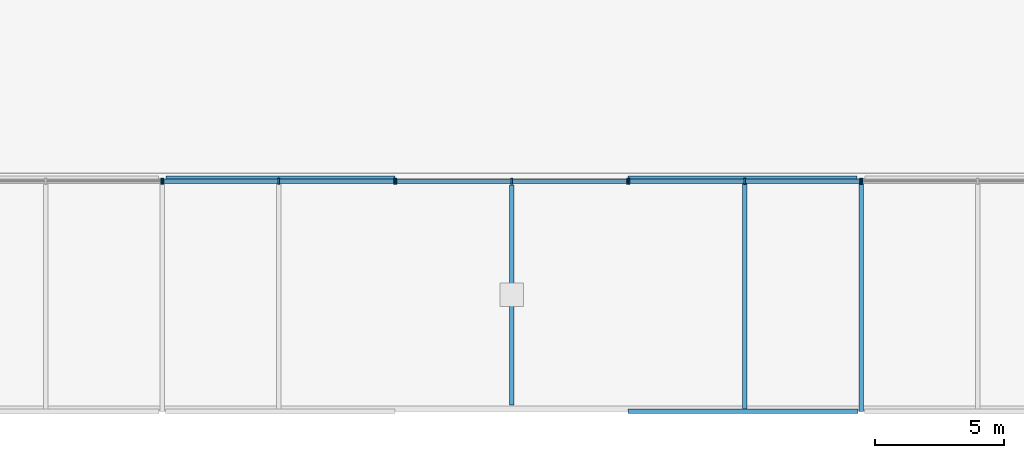
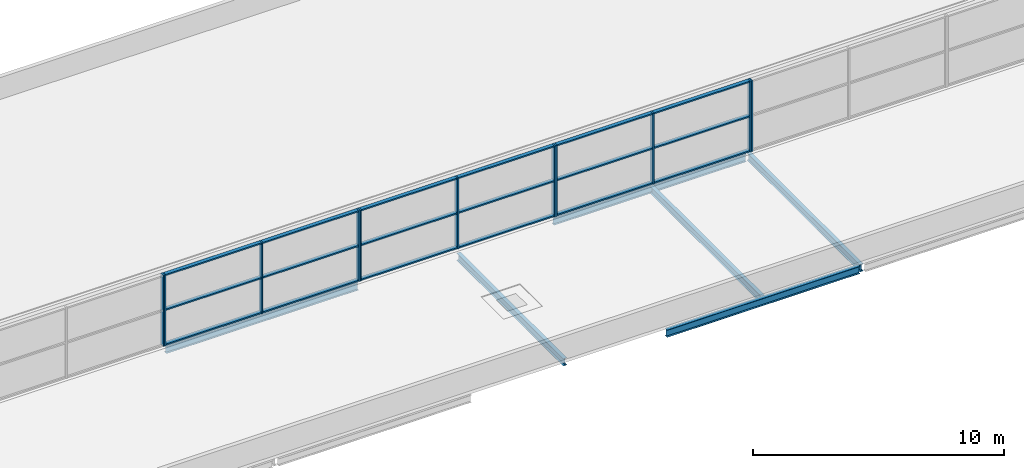
# One storey, part 7 of 50: 29 members, 6 beams, 5 elements without a shape of their own.
"""IFC4 building model written with IfcOpenShell, lengths in metres."""

import ifcopenshell
import ifcopenshell.guid

model = None  # the IFC model being written
_history = None  # IfcOwnerHistory: only IFC2X3 demands one
_inside = {}  # id of a spatial element -> (the spatial element, [elements in it])
_under = {}  # id of a project, library or spatial element -> (it, [spatial elements below it])
_declared = {}  # id of a project -> (the project, [libraries it declares])
_typed = {}  # id of a type object -> (the type object, [elements of that type])
_made_of = {}  # id of a material, layer set ... -> (it, [elements and type objects made of it])


def new_model(schema):
    """Start an empty IFC model of exactly this schema.

    Asked for "IFC4X3", IfcOpenShell would pick the latest addendum, in which some entities
    have other attributes; the version numbers below select the first issue.
    IFC2X3 requires an IfcOwnerHistory on every rooted entity: one is made here for all.
    """
    global model, _history
    if schema == "IFC4X3":
        model = ifcopenshell.file(schema_version=(4, 3, 0, 0))
    else:
        model = ifcopenshell.file(schema=schema)
    _inside.clear()
    _under.clear()
    _declared.clear()
    _typed.clear()
    _made_of.clear()
    _history = None
    if model.schema == "IFC2X3":
        org = make("IfcOrganization", Name="unknown")
        user = make(
            "IfcPersonAndOrganization",
            ThePerson=make("IfcPerson", FamilyName="unknown"),
            TheOrganization=org,
        )
        app = make(
            "IfcApplication",
            ApplicationDeveloper=org,
            Version="unknown",
            ApplicationFullName="unknown",
            ApplicationIdentifier="unknown",
        )
        _history = make(
            "IfcOwnerHistory",
            OwningUser=user,
            OwningApplication=app,
            ChangeAction="ADDED",
            CreationDate=0,
        )
    return model


def make(cls, **values):
    """One entity of the class cls with the attributes given. An attribute that is None is left unset."""
    return model.create_entity(
        cls, **{name: value for name, value in values.items() if value is not None}
    )


def rooted(cls, **values):
    """An entity with a GlobalId (a new one), such as an element, a storey or a relation."""
    return make(cls, GlobalId=ifcopenshell.guid.new(), OwnerHistory=_history, **values)


def si_unit(unit_type, name, prefix=None):
    """IfcSIUnit, for example si_unit("LENGTHUNIT", "METRE", prefix="MILLI")."""
    return make("IfcSIUnit", UnitType=unit_type, Prefix=prefix, Name=name)


def assignment(units):
    """IfcUnitAssignment: the units of a project."""
    return None if units is None else make("IfcUnitAssignment", Units=units)


def point(xyz):
    """IfcCartesianPoint."""
    return None if xyz is None else make("IfcCartesianPoint", Coordinates=xyz)


def direction(xyz):
    """IfcDirection."""
    return None if xyz is None else make("IfcDirection", DirectionRatios=xyz)


def frame(location, z_axis=None, x_axis=None):
    """IfcAxis2Placement3D, a coordinate frame: its origin and axes. An axis left out is left unset."""
    return make(
        "IfcAxis2Placement3D",
        Location=point(location),
        Axis=direction(z_axis),
        RefDirection=direction(x_axis),
    )


def frame_2d(location, x_axis=None):
    """IfcAxis2Placement2D, a coordinate frame in the plane: its origin and x axis."""
    return make(
        "IfcAxis2Placement2D", Location=point(location), RefDirection=direction(x_axis)
    )


def origin():
    """The frame at (0, 0, 0) with its axes left unset."""
    return frame((0.0, 0.0, 0.0))


def origin_2d():
    """The frame at (0, 0) in the plane with its x axis left unset."""
    return frame_2d((0.0, 0.0))


def place(relative_to, where):
    """IfcLocalPlacement: puts the frame where relative to a parent placement (None: the world)."""
    return make(
        "IfcLocalPlacement", PlacementRelTo=relative_to, RelativePlacement=where
    )


def context(
    kind, dimensions, precision=None, world=None, true_north=None, identifier=None
):
    """IfcGeometricRepresentationContext, for example the 3D "Model" context."""
    return make(
        "IfcGeometricRepresentationContext",
        ContextIdentifier=identifier,
        ContextType=kind,
        CoordinateSpaceDimension=dimensions,
        Precision=precision,
        WorldCoordinateSystem=world,
        TrueNorth=true_north,
    )


def subcontext(parent, identifier, kind, view, scale=None):
    """IfcGeometricRepresentationSubContext, for example "Body" below "Model"."""
    return make(
        "IfcGeometricRepresentationSubContext",
        ContextIdentifier=identifier,
        ContextType=kind,
        ParentContext=parent,
        TargetScale=scale,
        TargetView=view,
    )


def project(units=None, contexts=None):
    """IfcProject with its units and contexts."""
    return rooted(
        "IfcProject",
        Name="project",
        RepresentationContexts=contexts,
        UnitsInContext=assignment(units),
    )


def spatial(cls, under=None, at=None, **own):
    """A site, building, storey or space (cls), placed at a placement, below another one or the project."""
    s = rooted(cls, ObjectPlacement=at, **own)
    if under is not None:
        _under.setdefault(under.id(), (under, []))[1].append(s)
    return s


def profile(cls, at=None, kind="AREA", **sizes):
    """A parametric profile (cls). Its sizes go by their IFC names, for example OverallWidth=200.0."""
    return make(cls, ProfileType=kind, Position=at, **sizes)


def rectangle(**sizes):
    """IfcRectangleProfileDef."""
    return profile("IfcRectangleProfileDef", **sizes)


def i_section(**sizes):
    """IfcIShapeProfileDef."""
    return profile("IfcIShapeProfileDef", **sizes)


def extrude(swept, where, along, depth):
    """IfcExtrudedAreaSolid: the profile swept, set in the frame where, extruded along a direction by depth."""
    return make(
        "IfcExtrudedAreaSolid",
        SweptArea=swept,
        Position=where,
        ExtrudedDirection=direction(along),
        Depth=depth,
    )


def shape(context_of_items, identifier, shape_type, items):
    """IfcShapeRepresentation: the items that make up one representation, for example the "Body"."""
    return make(
        "IfcShapeRepresentation",
        ContextOfItems=context_of_items,
        RepresentationIdentifier=identifier,
        RepresentationType=shape_type,
        Items=items,
    )


def material(Name=None, Category=None):
    """IfcMaterial."""
    return make("IfcMaterial", Name=Name, Category=Category)


def layer(
    of_material, thickness, ventilated=None, Name=None, Category=None, Priority=None
):
    """IfcMaterialLayer: one layer of a wall or slab, of a material (None: an air gap)."""
    return make(
        "IfcMaterialLayer",
        Material=of_material,
        LayerThickness=thickness,
        IsVentilated=ventilated,
        Name=Name,
        Category=Category,
        Priority=Priority,
    )


def layer_set(layers, Name=None):
    """IfcMaterialLayerSet."""
    return make("IfcMaterialLayerSet", MaterialLayers=layers, LayerSetName=Name)


def material_profile(
    of_material, cross_section, Name=None, Category=None, Priority=None
):
    """IfcMaterialProfile: a cross section and its material."""
    return make(
        "IfcMaterialProfile",
        Name=Name,
        Material=of_material,
        Profile=cross_section,
        Priority=Priority,
        Category=Category,
    )


def profile_set(profiles, Name=None, composite=None):
    """IfcMaterialProfileSet."""
    return make(
        "IfcMaterialProfileSet",
        Name=Name,
        MaterialProfiles=profiles,
        CompositeProfile=composite,
    )


def made_of(thing, what):
    """Note that an element or type object is made of a material, layer set ...; save() writes the relation."""
    if what is not None:
        _made_of.setdefault(what.id(), (what, []))[1].append(thing)
    return thing


def type_object(cls, material=None, **own):
    """A type object (cls), such as IfcWallType, which elements share."""
    return made_of(rooted(cls, **own), material)


def element(
    cls,
    number,
    at=None,
    inside=None,
    cuts=None,
    type_object=None,
    material=None,
    context=None,
    identifier="Body",
    shape_type=None,
    held_by="IfcProductDefinitionShape",
    body=None,
    shapes=None,
    **own,
):
    """One element of the class cls, such as IfcWall. Its Tag is "e" and its number.

    at: its placement. inside: the storey or other place that contains it. cuts: it is an
    opening in that element (IfcRelVoidsElement). A single representation is given by context,
    identifier, shape_type and body (its items); several are given by shapes. held_by: the class
    of the entity that holds the representations. save() writes the other relations.
    """
    e = rooted(cls, Tag="e%d" % number, ObjectPlacement=at, **own)
    if body is not None:
        shapes = [shape(context, identifier, shape_type, body)]
    if shapes is not None:
        e.Representation = make(held_by, Representations=shapes)
    if inside is not None:
        _inside.setdefault(inside.id(), (inside, []))[1].append(e)
    if cuts is not None:
        rooted(
            "IfcRelVoidsElement", RelatingBuildingElement=cuts, RelatedOpeningElement=e
        )
    if type_object is not None:
        _typed.setdefault(type_object.id(), (type_object, []))[1].append(e)
    return made_of(e, material)


def aggregate(whole, parts):
    """IfcRelAggregates: a whole, such as a stair, and the parts it consists of."""
    return rooted("IfcRelAggregates", RelatingObject=whole, RelatedObjects=parts)


def save(model, path):
    """Write the relations noted so far, then the file.

    IfcRelAggregates (storeys below a building ...), IfcRelContainedInSpatialStructure (elements
    in a storey), IfcRelDefinesByType, IfcRelAssociatesMaterial and IfcRelDeclares: one each for
    every whole, place, type object, material and project.
    """
    for whole, parts in _under.values():
        aggregate(whole, parts)
    for where, things in _inside.values():
        rooted(
            "IfcRelContainedInSpatialStructure",
            RelatedElements=things,
            RelatingStructure=where,
        )
    for kind, things in _typed.values():
        rooted("IfcRelDefinesByType", RelatedObjects=things, RelatingType=kind)
    for what, things in _made_of.values():
        rooted("IfcRelAssociatesMaterial", RelatedObjects=things, RelatingMaterial=what)
    for by, libraries in _declared.values():
        rooted("IfcRelDeclares", RelatingContext=by, RelatedDefinitions=libraries)
    model.write(path)


model = new_model("IFC4")

# Units and contexts
model_context = context("Model", 3, precision=1e-05, world=origin(), true_north=direction((0.0, 1.0)))
body_context = subcontext(model_context, "Body", "Model", "MODEL_VIEW")
ifc_project = project(units=[si_unit("LENGTHUNIT", "METRE"), si_unit("AREAUNIT", "SQUARE_METRE"), si_unit("VOLUMEUNIT", "CUBIC_METRE"), si_unit("PLANEANGLEUNIT", "RADIAN"), si_unit("MASSUNIT", "GRAM", prefix="KILO")], contexts=[model_context])

# Site, building, storey
site_placement = place(None, origin())
site = spatial("IfcSite", under=ifc_project, at=site_placement, CompositionType="ELEMENT")
building_placement = place(site_placement, origin())
building = spatial("IfcBuilding", under=site, at=building_placement, Name="Corbel Yard City Hall", CompositionType="ELEMENT")
storey_placement = place(building_placement, frame((0.0, 0.0, 15.0)))
storey = spatial("IfcBuildingStorey", under=building, at=storey_placement, Name="L03", CompositionType="ELEMENT", Elevation=15.0)

# Beams
ifc_material_1 = material(Name="Steel Grade 300 (300 MPa yield)", Category="steel")
ifc_material_profile_1 = material_profile(ifc_material_1, i_section(OverallWidth=0.1708984375, OverallDepth=0.35205078125, WebThickness=0.0068359375, FlangeThickness=0.009765625, at=origin_2d()), Name="360UB44.7")
ifc_profile_set_1 = profile_set([ifc_material_profile_1], Name="Steel Grade 300 (300 MPa yield)")
beam_type_1 = type_object("IfcBeamType", Name="Beam 360UB44.7", PredefinedType="BEAM", material=ifc_profile_set_1)
beam_1_placement = place(storey_placement, frame((63.0, 0.00439453125, -0.325927734375), z_axis=(0.0, 1.0, 0.0), x_axis=(-1.0, 0.0, 0.0)))
element("IfcBeam", 1, at=beam_1_placement, inside=storey, type_object=beam_type_1, Name="Beam 360UB44.7 SB13 L03roof", PredefinedType="BEAM", context=body_context, shape_type="SweptSolid", body=[
    extrude(i_section(OverallWidth=0.1708984375, OverallDepth=0.35205078125, WebThickness=0.0068359375, FlangeThickness=0.009765625, at=origin_2d()), origin(), (0.0, 0.0, 1.0), 8.99072265625),
])
ifc_material_profile_2 = material_profile(ifc_material_1, i_section(OverallWidth=0.172119140625, OverallDepth=0.35888671875, WebThickness=0.008056640625, FlangeThickness=0.012939453125, at=origin_2d()), Name="360UB56.7")
ifc_profile_set_2 = profile_set([ifc_material_profile_2], Name="Steel Grade 300 (300 MPa yield)")
beam_type_2 = type_object("IfcBeamType", Name="Edge beam 360UB56.7", PredefinedType="BEAM", material=ifc_profile_set_2)
beam_2_placement = place(storey_placement, frame((54.0, 0.0, -0.32958984375), z_axis=(1.0, 0.0, 0.0), x_axis=(0.0, 1.0, 0.0)))
element("IfcBeam", 2, at=beam_2_placement, inside=storey, type_object=beam_type_2, Name="Edge beam 360UB56.7 EB4 L03roof", PredefinedType="BEAM", context=body_context, shape_type="SweptSolid", body=[
    extrude(i_section(OverallWidth=0.172119140625, OverallDepth=0.35888671875, WebThickness=0.008056640625, FlangeThickness=0.012939453125, at=origin_2d()), origin(), (0.0, 0.0, 1.0), 8.873046875),
])
for number, where, z_axis, x_axis, name in (
    (3, (36.154052734375, 9.0, -0.32958984375), (1.0, 0.0, 0.0), (0.0, 1.0, 0.0), "Edge beam 360UB56.7 EB4 L03roof"),
    (4, (54.0, 9.0, -0.32958984375), (1.0, 0.0, 0.0), (0.0, 1.0, 0.0), "Edge beam 360UB56.7 EB4 L03roof"),
):
    element("IfcBeam", number, at=place(storey_placement, frame(where, z_axis=z_axis, x_axis=x_axis)), inside=storey, type_object=beam_type_2, Name=name, PredefinedType="BEAM", context=body_context, shape_type="SweptSolid", body=[
        extrude(i_section(OverallWidth=0.172119140625, OverallDepth=0.35888671875, WebThickness=0.008056640625, FlangeThickness=0.012939453125, at=origin_2d()), origin(), (0.0, 0.0, 1.0), 8.845947265625),
    ])

# Curtain wall, member
ifc_material_2 = material(Name="Aluminium extrusion", Category="aluminium")
ifc_layer = layer(ifc_material_2, 0.219970703125)
ifc_layer_set = layer_set([ifc_layer], Name="Aluminium extrusion")
curtain_wall_type = type_object("IfcCurtainWallType", Name="CW5", PredefinedType="USERDEFINED", material=ifc_layer_set)
curtain_wall_1_placement = place(storey_placement, origin())
curtain_wall_1 = element("IfcCurtainWall", 5, at=curtain_wall_1_placement, inside=storey, type_object=curtain_wall_type, Name="Hall south clerestory curtain wall", ObjectType="CURTAIN WALL", PredefinedType="USERDEFINED")
ifc_material_profile_3 = material_profile(ifc_material_2, rectangle(XDim=0.219970703125, YDim=0.06494140625, at=origin_2d()), Name="220x65")
ifc_profile_set_3 = profile_set([ifc_material_profile_3], Name="Aluminium extrusion")
member_type_1 = type_object("IfcMemberType", Name="ML5", PredefinedType="MULLION", material=ifc_profile_set_3)
member_1_placement = place(storey_placement, frame((35.967529296875, 8.889892578125, 0.0), z_axis=(0.0, 0.0, 1.0), x_axis=(0.0, 1.0, 0.0)))
member_1 = element("IfcMember", 6, at=member_1_placement, type_object=member_type_1, Name="CW5 mullion 3", PredefinedType="MULLION", context=body_context, shape_type="SweptSolid", body=[
    extrude(rectangle(XDim=0.219970703125, YDim=0.06494140625, at=origin_2d()), origin(), (0.0, 0.0, 1.0), 3.449951171875),
])
aggregate(curtain_wall_1, [member_1])

# Curtain wall, members
curtain_wall_2_placement = place(storey_placement, origin())
curtain_wall_2 = element("IfcCurtainWall", 7, at=curtain_wall_2_placement, inside=storey, type_object=curtain_wall_type, Name="Hall south clerestory curtain wall", ObjectType="CURTAIN WALL", PredefinedType="USERDEFINED")
member_2_placement = place(storey_placement, frame((36.032470703125, 8.889892578125, 0.0), z_axis=(0.0, 0.0, 1.0), x_axis=(0.0, 1.0, 0.0)))
member_2 = element("IfcMember", 8, at=member_2_placement, type_object=member_type_1, Name="CW5 mullion 1", PredefinedType="MULLION", context=body_context, shape_type="SweptSolid", body=[
    extrude(rectangle(XDim=0.219970703125, YDim=0.06494140625, at=origin_2d()), origin(), (0.0, 0.0, 1.0), 3.449951171875),
])
member_3_placement = place(storey_placement, frame((40.5, 8.889892578125, 0.0), z_axis=(0.0, 0.0, 1.0), x_axis=(0.0, 1.0, 0.0)))
member_3 = element("IfcMember", 9, at=member_3_placement, type_object=member_type_1, Name="CW5 mullion 2", PredefinedType="MULLION", context=body_context, shape_type="SweptSolid", body=[
    extrude(rectangle(XDim=0.219970703125, YDim=0.06494140625, at=origin_2d()), origin(), (0.0, 0.0, 1.0), 3.449951171875),
])
member_4_placement = place(storey_placement, frame((44.967529296875, 8.889892578125, 0.0), z_axis=(0.0, 0.0, 1.0), x_axis=(0.0, 1.0, 0.0)))
member_4 = element("IfcMember", 10, at=member_4_placement, type_object=member_type_1, Name="CW5 mullion 3", PredefinedType="MULLION", context=body_context, shape_type="SweptSolid", body=[
    extrude(rectangle(XDim=0.219970703125, YDim=0.06494140625, at=origin_2d()), origin(), (0.0, 0.0, 1.0), 3.449951171875),
])

curtain_wall_3_placement = place(storey_placement, origin())
curtain_wall_3 = element("IfcCurtainWall", 11, at=curtain_wall_3_placement, inside=storey, type_object=curtain_wall_type, Name="Hall south clerestory curtain wall", ObjectType="CURTAIN WALL", PredefinedType="USERDEFINED")
member_5_placement = place(storey_placement, frame((45.032470703125, 8.889892578125, 0.0), z_axis=(0.0, 0.0, 1.0), x_axis=(0.0, 1.0, 0.0)))
member_5 = element("IfcMember", 12, at=member_5_placement, type_object=member_type_1, Name="CW5 mullion 1", PredefinedType="MULLION", context=body_context, shape_type="SweptSolid", body=[
    extrude(rectangle(XDim=0.219970703125, YDim=0.06494140625, at=origin_2d()), origin(), (0.0, 0.0, 1.0), 3.449951171875),
])
member_6_placement = place(storey_placement, frame((49.5, 8.889892578125, 0.0), z_axis=(0.0, 0.0, 1.0), x_axis=(0.0, 1.0, 0.0)))
member_6 = element("IfcMember", 13, at=member_6_placement, type_object=member_type_1, Name="CW5 mullion 2", PredefinedType="MULLION", context=body_context, shape_type="SweptSolid", body=[
    extrude(rectangle(XDim=0.219970703125, YDim=0.06494140625, at=origin_2d()), origin(), (0.0, 0.0, 1.0), 3.449951171875),
])
member_7_placement = place(storey_placement, frame((53.967529296875, 8.889892578125, 0.0), z_axis=(0.0, 0.0, 1.0), x_axis=(0.0, 1.0, 0.0)))
member_7 = element("IfcMember", 14, at=member_7_placement, type_object=member_type_1, Name="CW5 mullion 3", PredefinedType="MULLION", context=body_context, shape_type="SweptSolid", body=[
    extrude(rectangle(XDim=0.219970703125, YDim=0.06494140625, at=origin_2d()), origin(), (0.0, 0.0, 1.0), 3.449951171875),
])

curtain_wall_4_placement = place(storey_placement, origin())
curtain_wall_4 = element("IfcCurtainWall", 15, at=curtain_wall_4_placement, inside=storey, type_object=curtain_wall_type, Name="Hall south clerestory curtain wall", ObjectType="CURTAIN WALL", PredefinedType="USERDEFINED")
member_8_placement = place(storey_placement, frame((54.032470703125, 8.889892578125, 0.0), z_axis=(0.0, 0.0, 1.0), x_axis=(0.0, 1.0, 0.0)))
member_8 = element("IfcMember", 16, at=member_8_placement, type_object=member_type_1, Name="CW5 mullion 1", PredefinedType="MULLION", context=body_context, shape_type="SweptSolid", body=[
    extrude(rectangle(XDim=0.219970703125, YDim=0.06494140625, at=origin_2d()), origin(), (0.0, 0.0, 1.0), 3.449951171875),
])
member_9_placement = place(storey_placement, frame((58.5, 8.889892578125, 0.0), z_axis=(0.0, 0.0, 1.0), x_axis=(0.0, 1.0, 0.0)))
member_9 = element("IfcMember", 17, at=member_9_placement, type_object=member_type_1, Name="CW5 mullion 2", PredefinedType="MULLION", context=body_context, shape_type="SweptSolid", body=[
    extrude(rectangle(XDim=0.219970703125, YDim=0.06494140625, at=origin_2d()), origin(), (0.0, 0.0, 1.0), 3.449951171875),
])
member_10_placement = place(storey_placement, frame((62.967529296875, 8.889892578125, 0.0), z_axis=(0.0, 0.0, 1.0), x_axis=(0.0, 1.0, 0.0)))
member_10 = element("IfcMember", 18, at=member_10_placement, type_object=member_type_1, Name="CW5 mullion 3", PredefinedType="MULLION", context=body_context, shape_type="SweptSolid", body=[
    extrude(rectangle(XDim=0.219970703125, YDim=0.06494140625, at=origin_2d()), origin(), (0.0, 0.0, 1.0), 3.449951171875),
])

# Curtain wall, member
curtain_wall_5_placement = place(storey_placement, origin())
curtain_wall_5 = element("IfcCurtainWall", 19, at=curtain_wall_5_placement, inside=storey, type_object=curtain_wall_type, Name="Hall south clerestory curtain wall", ObjectType="CURTAIN WALL", PredefinedType="USERDEFINED")
member_11_placement = place(storey_placement, frame((63.032470703125, 8.889892578125, 0.0), z_axis=(0.0, 0.0, 1.0), x_axis=(0.0, 1.0, 0.0)))
member_11 = element("IfcMember", 20, at=member_11_placement, type_object=member_type_1, Name="CW5 mullion 1", PredefinedType="MULLION", context=body_context, shape_type="SweptSolid", body=[
    extrude(rectangle(XDim=0.219970703125, YDim=0.06494140625, at=origin_2d()), origin(), (0.0, 0.0, 1.0), 3.449951171875),
])
aggregate(curtain_wall_5, [member_11])

# Beams
ifc_material_profile_4 = material_profile(ifc_material_1, i_section(OverallWidth=0.1708984375, OverallDepth=0.35205078125, WebThickness=0.0068359375, FlangeThickness=0.009765625, at=origin_2d()), Name="360UB44.7")
ifc_profile_set_4 = profile_set([ifc_material_profile_4], Name="Steel Grade 300 (300 MPa yield)")
beam_type_3 = type_object("IfcBeamType", Name="Secondary beam 360UB44.7", PredefinedType="JOIST", material=ifc_profile_set_4)
beam_3_placement = place(storey_placement, frame((58.5, 0.0859375, -0.325927734375), z_axis=(0.0, 1.0, 0.0), x_axis=(-1.0, 0.0, 0.0)))
element("IfcBeam", 21, at=beam_3_placement, inside=storey, type_object=beam_type_3, Name="Secondary beam 360UB44.7 SB11 L03roof", PredefinedType="JOIST", context=body_context, shape_type="SweptSolid", body=[
    extrude(i_section(OverallWidth=0.1708984375, OverallDepth=0.35205078125, WebThickness=0.0068359375, FlangeThickness=0.009765625, at=origin_2d()), origin(), (0.0, 0.0, 1.0), 8.828125),
])
beam_4_placement = place(storey_placement, frame((49.5, 0.25, -0.325927734375), z_axis=(0.0, 1.0, 0.0), x_axis=(-1.0, 0.0, 0.0)))
element("IfcBeam", 22, at=beam_4_placement, inside=storey, type_object=beam_type_3, Name="Core roof beam 360UB44.7 SB11 PC-S1", PredefinedType="JOIST", context=body_context, shape_type="SweptSolid", body=[
    extrude(i_section(OverallWidth=0.1708984375, OverallDepth=0.35205078125, WebThickness=0.0068359375, FlangeThickness=0.009765625, at=origin_2d()), origin(), (0.0, 0.0, 1.0), 8.5),
])

# Member
ifc_material_profile_5 = material_profile(ifc_material_2, rectangle(XDim=0.179931640625, YDim=0.06494140625, at=origin_2d()), Name="180x65")
ifc_profile_set_5 = profile_set([ifc_material_profile_5], Name="Aluminium extrusion")
member_type_2 = type_object("IfcMemberType", Name="TR5", PredefinedType="USERDEFINED", material=ifc_profile_set_5)
member_12_placement = place(storey_placement, frame((36.06494140625, 8.889892578125, 0.032470703125), z_axis=(1.0, 0.0, 0.0), x_axis=(0.0, 1.0, 0.0)))
member_12 = element("IfcMember", 23, at=member_12_placement, type_object=member_type_2, Name="CW5 transom 1.1", ObjectType="TRANSOM", PredefinedType="USERDEFINED", context=body_context, shape_type="SweptSolid", body=[
    extrude(rectangle(XDim=0.179931640625, YDim=0.06494140625, at=origin_2d()), origin(), (0.0, 0.0, 1.0), 4.402587890625),
])

member_13_placement = place(storey_placement, frame((36.06494140625, 8.889892578125, 1.72509765625), z_axis=(1.0, 0.0, 0.0), x_axis=(0.0, 1.0, 0.0)))
member_13 = element("IfcMember", 24, at=member_13_placement, type_object=member_type_2, Name="CW5 transom 1.2", ObjectType="TRANSOM", PredefinedType="USERDEFINED", context=body_context, shape_type="SweptSolid", body=[
    extrude(rectangle(XDim=0.179931640625, YDim=0.06494140625, at=origin_2d()), origin(), (0.0, 0.0, 1.0), 4.402587890625),
])

member_14_placement = place(storey_placement, frame((36.06494140625, 8.889892578125, 3.41748046875), z_axis=(1.0, 0.0, 0.0), x_axis=(0.0, 1.0, 0.0)))
member_14 = element("IfcMember", 25, at=member_14_placement, type_object=member_type_2, Name="CW5 transom 1.3", ObjectType="TRANSOM", PredefinedType="USERDEFINED", context=body_context, shape_type="SweptSolid", body=[
    extrude(rectangle(XDim=0.179931640625, YDim=0.06494140625, at=origin_2d()), origin(), (0.0, 0.0, 1.0), 4.402587890625),
])

member_15_placement = place(storey_placement, frame((40.532470703125, 8.889892578125, 0.032470703125), z_axis=(1.0, 0.0, 0.0), x_axis=(0.0, 1.0, 0.0)))
member_15 = element("IfcMember", 26, at=member_15_placement, type_object=member_type_2, Name="CW5 transom 2.1", ObjectType="TRANSOM", PredefinedType="USERDEFINED", context=body_context, shape_type="SweptSolid", body=[
    extrude(rectangle(XDim=0.179931640625, YDim=0.06494140625, at=origin_2d()), origin(), (0.0, 0.0, 1.0), 4.402587890625),
])

member_16_placement = place(storey_placement, frame((40.532470703125, 8.889892578125, 1.72509765625), z_axis=(1.0, 0.0, 0.0), x_axis=(0.0, 1.0, 0.0)))
member_16 = element("IfcMember", 27, at=member_16_placement, type_object=member_type_2, Name="CW5 transom 2.2", ObjectType="TRANSOM", PredefinedType="USERDEFINED", context=body_context, shape_type="SweptSolid", body=[
    extrude(rectangle(XDim=0.179931640625, YDim=0.06494140625, at=origin_2d()), origin(), (0.0, 0.0, 1.0), 4.402587890625),
])

member_17_placement = place(storey_placement, frame((40.532470703125, 8.889892578125, 3.41748046875), z_axis=(1.0, 0.0, 0.0), x_axis=(0.0, 1.0, 0.0)))
member_17 = element("IfcMember", 28, at=member_17_placement, type_object=member_type_2, Name="CW5 transom 2.3", ObjectType="TRANSOM", PredefinedType="USERDEFINED", context=body_context, shape_type="SweptSolid", body=[
    extrude(rectangle(XDim=0.179931640625, YDim=0.06494140625, at=origin_2d()), origin(), (0.0, 0.0, 1.0), 4.402587890625),
])

aggregate(curtain_wall_2, [member_2, member_3, member_4, member_12, member_13, member_14, member_15, member_16, member_17])

member_18_placement = place(storey_placement, frame((45.06494140625, 8.889892578125, 0.032470703125), z_axis=(1.0, 0.0, 0.0), x_axis=(0.0, 1.0, 0.0)))
member_18 = element("IfcMember", 29, at=member_18_placement, type_object=member_type_2, Name="CW5 transom 1.1", ObjectType="TRANSOM", PredefinedType="USERDEFINED", context=body_context, shape_type="SweptSolid", body=[
    extrude(rectangle(XDim=0.179931640625, YDim=0.06494140625, at=origin_2d()), origin(), (0.0, 0.0, 1.0), 4.402587890625),
])

member_19_placement = place(storey_placement, frame((45.06494140625, 8.889892578125, 1.72509765625), z_axis=(1.0, 0.0, 0.0), x_axis=(0.0, 1.0, 0.0)))
member_19 = element("IfcMember", 30, at=member_19_placement, type_object=member_type_2, Name="CW5 transom 1.2", ObjectType="TRANSOM", PredefinedType="USERDEFINED", context=body_context, shape_type="SweptSolid", body=[
    extrude(rectangle(XDim=0.179931640625, YDim=0.06494140625, at=origin_2d()), origin(), (0.0, 0.0, 1.0), 4.402587890625),
])

member_20_placement = place(storey_placement, frame((45.06494140625, 8.889892578125, 3.41748046875), z_axis=(1.0, 0.0, 0.0), x_axis=(0.0, 1.0, 0.0)))
member_20 = element("IfcMember", 31, at=member_20_placement, type_object=member_type_2, Name="CW5 transom 1.3", ObjectType="TRANSOM", PredefinedType="USERDEFINED", context=body_context, shape_type="SweptSolid", body=[
    extrude(rectangle(XDim=0.179931640625, YDim=0.06494140625, at=origin_2d()), origin(), (0.0, 0.0, 1.0), 4.402587890625),
])

member_21_placement = place(storey_placement, frame((49.532470703125, 8.889892578125, 0.032470703125), z_axis=(1.0, 0.0, 0.0), x_axis=(0.0, 1.0, 0.0)))
member_21 = element("IfcMember", 32, at=member_21_placement, type_object=member_type_2, Name="CW5 transom 2.1", ObjectType="TRANSOM", PredefinedType="USERDEFINED", context=body_context, shape_type="SweptSolid", body=[
    extrude(rectangle(XDim=0.179931640625, YDim=0.06494140625, at=origin_2d()), origin(), (0.0, 0.0, 1.0), 4.402587890625),
])

member_22_placement = place(storey_placement, frame((49.532470703125, 8.889892578125, 1.72509765625), z_axis=(1.0, 0.0, 0.0), x_axis=(0.0, 1.0, 0.0)))
member_22 = element("IfcMember", 33, at=member_22_placement, type_object=member_type_2, Name="CW5 transom 2.2", ObjectType="TRANSOM", PredefinedType="USERDEFINED", context=body_context, shape_type="SweptSolid", body=[
    extrude(rectangle(XDim=0.179931640625, YDim=0.06494140625, at=origin_2d()), origin(), (0.0, 0.0, 1.0), 4.402587890625),
])

member_23_placement = place(storey_placement, frame((49.532470703125, 8.889892578125, 3.41748046875), z_axis=(1.0, 0.0, 0.0), x_axis=(0.0, 1.0, 0.0)))
member_23 = element("IfcMember", 34, at=member_23_placement, type_object=member_type_2, Name="CW5 transom 2.3", ObjectType="TRANSOM", PredefinedType="USERDEFINED", context=body_context, shape_type="SweptSolid", body=[
    extrude(rectangle(XDim=0.179931640625, YDim=0.06494140625, at=origin_2d()), origin(), (0.0, 0.0, 1.0), 4.402587890625),
])

aggregate(curtain_wall_3, [member_5, member_6, member_7, member_18, member_19, member_20, member_21, member_22, member_23])

member_24_placement = place(storey_placement, frame((54.06494140625, 8.889892578125, 0.032470703125), z_axis=(1.0, 0.0, 0.0), x_axis=(0.0, 1.0, 0.0)))
member_24 = element("IfcMember", 35, at=member_24_placement, type_object=member_type_2, Name="CW5 transom 1.1", ObjectType="TRANSOM", PredefinedType="USERDEFINED", context=body_context, shape_type="SweptSolid", body=[
    extrude(rectangle(XDim=0.179931640625, YDim=0.06494140625, at=origin_2d()), origin(), (0.0, 0.0, 1.0), 4.402587890625),
])

member_25_placement = place(storey_placement, frame((54.06494140625, 8.889892578125, 1.72509765625), z_axis=(1.0, 0.0, 0.0), x_axis=(0.0, 1.0, 0.0)))
member_25 = element("IfcMember", 36, at=member_25_placement, type_object=member_type_2, Name="CW5 transom 1.2", ObjectType="TRANSOM", PredefinedType="USERDEFINED", context=body_context, shape_type="SweptSolid", body=[
    extrude(rectangle(XDim=0.179931640625, YDim=0.06494140625, at=origin_2d()), origin(), (0.0, 0.0, 1.0), 4.402587890625),
])

member_26_placement = place(storey_placement, frame((54.06494140625, 8.889892578125, 3.41748046875), z_axis=(1.0, 0.0, 0.0), x_axis=(0.0, 1.0, 0.0)))
member_26 = element("IfcMember", 37, at=member_26_placement, type_object=member_type_2, Name="CW5 transom 1.3", ObjectType="TRANSOM", PredefinedType="USERDEFINED", context=body_context, shape_type="SweptSolid", body=[
    extrude(rectangle(XDim=0.179931640625, YDim=0.06494140625, at=origin_2d()), origin(), (0.0, 0.0, 1.0), 4.402587890625),
])

member_27_placement = place(storey_placement, frame((58.532470703125, 8.889892578125, 0.032470703125), z_axis=(1.0, 0.0, 0.0), x_axis=(0.0, 1.0, 0.0)))
member_27 = element("IfcMember", 38, at=member_27_placement, type_object=member_type_2, Name="CW5 transom 2.1", ObjectType="TRANSOM", PredefinedType="USERDEFINED", context=body_context, shape_type="SweptSolid", body=[
    extrude(rectangle(XDim=0.179931640625, YDim=0.06494140625, at=origin_2d()), origin(), (0.0, 0.0, 1.0), 4.402587890625),
])

member_28_placement = place(storey_placement, frame((58.532470703125, 8.889892578125, 1.72509765625), z_axis=(1.0, 0.0, 0.0), x_axis=(0.0, 1.0, 0.0)))
member_28 = element("IfcMember", 39, at=member_28_placement, type_object=member_type_2, Name="CW5 transom 2.2", ObjectType="TRANSOM", PredefinedType="USERDEFINED", context=body_context, shape_type="SweptSolid", body=[
    extrude(rectangle(XDim=0.179931640625, YDim=0.06494140625, at=origin_2d()), origin(), (0.0, 0.0, 1.0), 4.402587890625),
])

member_29_placement = place(storey_placement, frame((58.532470703125, 8.889892578125, 3.41748046875), z_axis=(1.0, 0.0, 0.0), x_axis=(0.0, 1.0, 0.0)))
member_29 = element("IfcMember", 40, at=member_29_placement, type_object=member_type_2, Name="CW5 transom 2.3", ObjectType="TRANSOM", PredefinedType="USERDEFINED", context=body_context, shape_type="SweptSolid", body=[
    extrude(rectangle(XDim=0.179931640625, YDim=0.06494140625, at=origin_2d()), origin(), (0.0, 0.0, 1.0), 4.402587890625),
])

aggregate(curtain_wall_4, [member_8, member_9, member_10, member_24, member_25, member_26, member_27, member_28, member_29])

save(model, "model.ifc")
